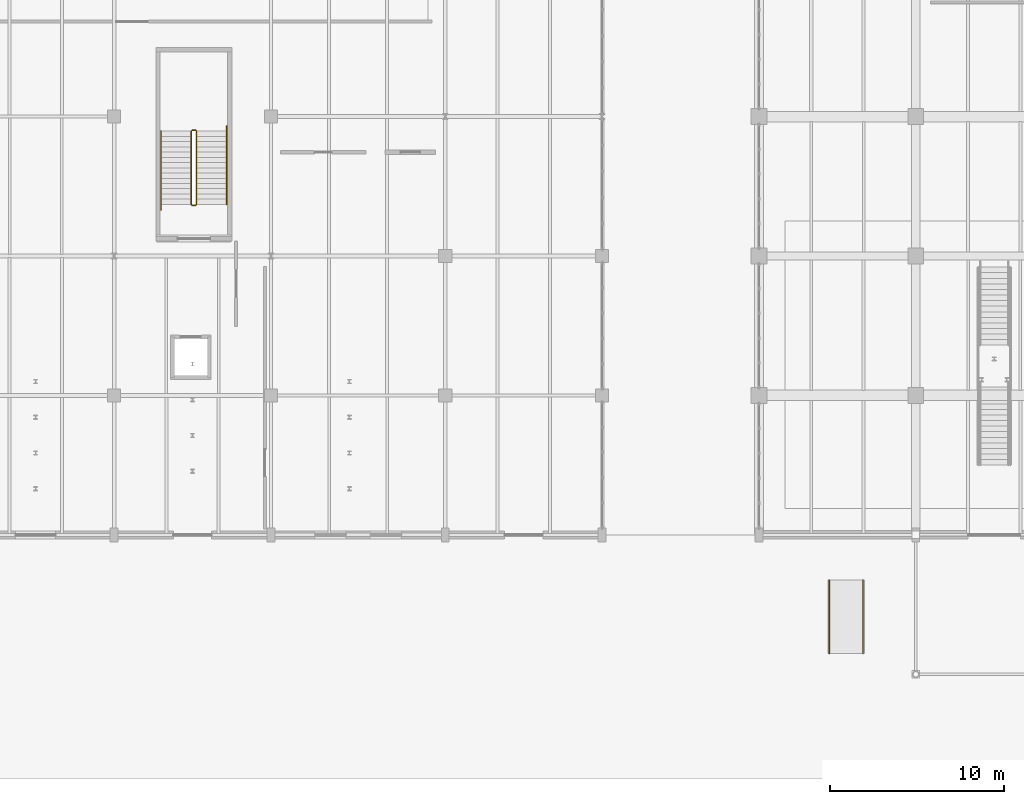
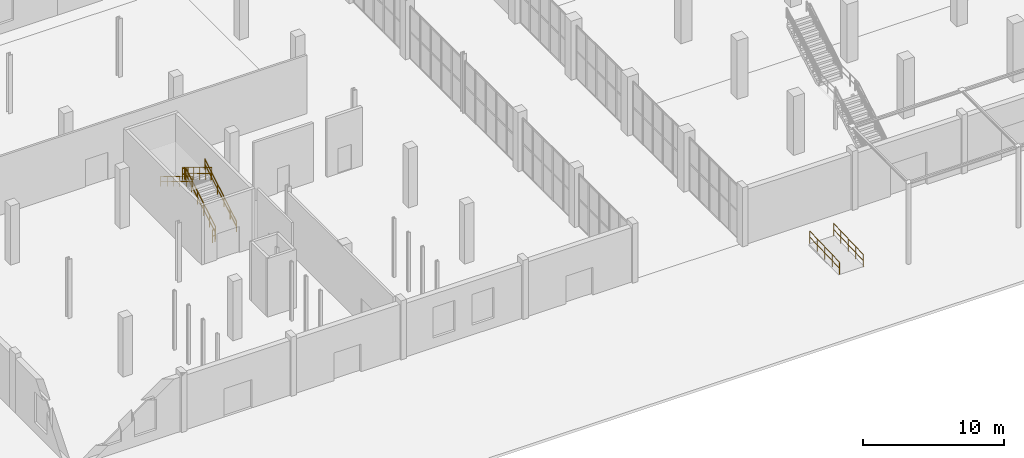
# One storey, part 93 of 103: 8 railings.
"""IFC4 building model written with IfcOpenShell, lengths in metres."""

from ifc_helpers import new_model, si_unit, direction, frame, origin, origin_2d, place, context, subcontext, project, spatial, circle, extrude, material, type_object, element, save


model = new_model("IFC4")

# Units and contexts
model_context = context("Model", 3, precision=1e-05, world=origin(), true_north=direction((0.0, 1.0)))
body_context = subcontext(model_context, "Body", "Model", "MODEL_VIEW")
ifc_project = project(units=[si_unit("LENGTHUNIT", "METRE"), si_unit("AREAUNIT", "SQUARE_METRE"), si_unit("VOLUMEUNIT", "CUBIC_METRE"), si_unit("PLANEANGLEUNIT", "RADIAN"), si_unit("MASSUNIT", "GRAM", prefix="KILO")], contexts=[model_context])

# Site, building, storey
site_placement = place(None, origin())
site = spatial("IfcSite", under=ifc_project, at=site_placement, CompositionType="ELEMENT")
building_placement = place(site_placement, origin())
building = spatial("IfcBuilding", under=site, at=building_placement, Name="Marnock Terrace Opera House", CompositionType="ELEMENT")
storey_placement = place(building_placement, origin())
storey = spatial("IfcBuildingStorey", under=building, at=storey_placement, Name="L00", CompositionType="ELEMENT", Elevation=0.0)

# Railings
ifc_material = material(Name="Architectural bronze balustrade")
railing_type_1 = type_object("IfcRailingType", Name="RL-GUARD-1100", PredefinedType="GUARDRAIL", material=ifc_material)
railing_1_placement = place(storey_placement, frame((22.72998046875, 26.9599609375, 0.179931640625)))
element("IfcRailing", 1, at=railing_1_placement, inside=storey, type_object=railing_type_1, Name="L00 ST-05 stair guard 1", PredefinedType="GUARDRAIL", context=body_context, shape_type="SweptSolid", body=[
    extrude(circle(Radius=0.02392578125, at=origin_2d()), frame((0.0, 0.0, 1.076171875), z_axis=(0.0, 0.857488527567, 0.514503085598), x_axis=(-1.0, 0.0, 0.0)), (0.0, 0.0, 1.0), 4.89794921875),
    extrude(circle(Radius=0.02392578125, at=origin_2d()), frame((0.0, 0.0, 0.550048828125), z_axis=(0.0, 0.857488527567, 0.514503085598), x_axis=(-1.0, 0.0, 0.0)), (0.0, 0.0, 1.0), 4.89794921875),
    extrude(circle(Radius=0.02099609375, at=origin_2d()), origin(), (0.0, 0.0, 1.0), 1.052001953125),
    extrude(circle(Radius=0.02099609375, at=origin_2d()), frame((0.0, 0.840087890625, 0.50390625)), (0.0, 0.0, 1.0), 1.052001953125),
    extrude(circle(Radius=0.02099609375, at=origin_2d()), frame((0.0, 1.679931640625, 1.008056640625)), (0.0, 0.0, 1.0), 1.052001953125),
    extrude(circle(Radius=0.02099609375, at=origin_2d()), frame((0.0, 2.52001953125, 1.511962890625)), (0.0, 0.0, 1.0), 1.052001953125),
    extrude(circle(Radius=0.02099609375, at=origin_2d()), frame((0.0, 3.35986328125, 2.01611328125)), (0.0, 0.0, 1.0), 1.052001953125),
    extrude(circle(Radius=0.02099609375, at=origin_2d()), frame((0.0, 4.199951171875, 2.52001953125)), (0.0, 0.0, 1.0), 1.052001953125),
])
railing_2_placement = place(storey_placement, frame((22.679931640625, 31.2099609375, 2.699951171875)))
element("IfcRailing", 2, at=railing_2_placement, inside=storey, type_object=railing_type_1, Name="L00 ST-05 stair guard 2", PredefinedType="GUARDRAIL", context=body_context, shape_type="SweptSolid", body=[
    extrude(circle(Radius=0.02392578125, at=origin_2d()), frame((0.0, 0.0, 1.076171875), z_axis=(-1.0, 0.0, 0.0), x_axis=(0.0, -1.0, 0.0)), (0.0, 0.0, 1.0), 0.199951171875),
    extrude(circle(Radius=0.02392578125, at=origin_2d()), frame((0.0, 0.0, 0.550048828125), z_axis=(-1.0, 0.0, 0.0), x_axis=(0.0, -1.0, 0.0)), (0.0, 0.0, 1.0), 0.199951171875),
    extrude(circle(Radius=0.02099609375, at=origin_2d()), origin(), (0.0, 0.0, 1.0), 1.052001953125),
    extrude(circle(Radius=0.02099609375, at=origin_2d()), frame((-0.199951171875, 0.0, 0.0)), (0.0, 0.0, 1.0), 1.052001953125),
])
railing_3_placement = place(storey_placement, frame((22.429931640625, 31.159912109375, 2.8798828125)))
element("IfcRailing", 3, at=railing_3_placement, inside=storey, type_object=railing_type_1, Name="L00 ST-05 stair guard 3", PredefinedType="GUARDRAIL", context=body_context, shape_type="SweptSolid", body=[
    extrude(circle(Radius=0.02392578125, at=origin_2d()), frame((0.0, 0.0, 1.076171875), z_axis=(0.0, -0.857488527567, 0.514503085598), x_axis=(1.0, 0.0, 0.0)), (0.0, 0.0, 1.0), 4.89794921875),
    extrude(circle(Radius=0.02392578125, at=origin_2d()), frame((0.0, 0.0, 0.550048828125), z_axis=(0.0, -0.857488527567, 0.514503085598), x_axis=(1.0, 0.0, 0.0)), (0.0, 0.0, 1.0), 4.89794921875),
    extrude(circle(Radius=0.02099609375, at=origin_2d()), origin(), (0.0, 0.0, 1.0), 1.052001953125),
    extrude(circle(Radius=0.02099609375, at=origin_2d()), frame((0.0, -0.840087890625, 0.50390625)), (0.0, 0.0, 1.0), 1.052001953125),
    extrude(circle(Radius=0.02099609375, at=origin_2d()), frame((0.0, -1.679931640625, 1.008056640625)), (0.0, 0.0, 1.0), 1.052001953125),
    extrude(circle(Radius=0.02099609375, at=origin_2d()), frame((0.0, -2.52001953125, 1.511962890625)), (0.0, 0.0, 1.0), 1.052001953125),
    extrude(circle(Radius=0.02099609375, at=origin_2d()), frame((0.0, -3.35986328125, 2.01611328125)), (0.0, 0.0, 1.0), 1.052001953125),
    extrude(circle(Radius=0.02099609375, at=origin_2d()), frame((0.0, -4.199951171875, 2.52001953125)), (0.0, 0.0, 1.0), 1.052001953125),
])
railing_4_placement = place(storey_placement, frame((22.679931640625, 26.909912109375, 0.0)))
element("IfcRailing", 4, at=railing_4_placement, inside=storey, type_object=railing_type_1, Name="L00 ST-05 stair guard 4", PredefinedType="GUARDRAIL", context=body_context, shape_type="SweptSolid", body=[
    extrude(circle(Radius=0.02392578125, at=origin_2d()), frame((0.0, 0.0, 1.076171875), z_axis=(-1.0, 0.0, 0.0), x_axis=(0.0, -1.0, 0.0)), (0.0, 0.0, 1.0), 0.199951171875),
    extrude(circle(Radius=0.02392578125, at=origin_2d()), frame((0.0, 0.0, 0.550048828125), z_axis=(-1.0, 0.0, 0.0), x_axis=(0.0, -1.0, 0.0)), (0.0, 0.0, 1.0), 0.199951171875),
    extrude(circle(Radius=0.02099609375, at=origin_2d()), origin(), (0.0, 0.0, 1.0), 1.052001953125),
    extrude(circle(Radius=0.02099609375, at=origin_2d()), frame((-0.199951171875, 0.0, 0.0)), (0.0, 0.0, 1.0), 1.052001953125),
])
for number, where, name in (
    (5, (59.030029296875, 1.199951171875, 0.0), "RMP-FORE-W bilateral accessible handrail L"),
    (6, (60.969970703125, 1.199951171875, 0.0), "RMP-FORE-W bilateral accessible handrail R"),
):
    element("IfcRailing", number, at=place(storey_placement, frame(where)), inside=storey, type_object=railing_type_1, Name=name, PredefinedType="GUARDRAIL", context=body_context, shape_type="SweptSolid", body=[
        extrude(circle(Radius=0.02392578125, at=origin_2d()), frame((0.0, 0.0, 1.076171875), z_axis=(0.0, 0.999445744913, 0.03328968272), x_axis=(-1.0, 0.0, 0.0)), (0.0, 0.0, 1.0), 4.202392578125),
        extrude(circle(Radius=0.02392578125, at=origin_2d()), frame((0.0, 0.0, 0.550048828125), z_axis=(0.0, 0.999445744913, 0.03328968272), x_axis=(-1.0, 0.0, 0.0)), (0.0, 0.0, 1.0), 4.202392578125),
        extrude(circle(Radius=0.02099609375, at=origin_2d()), origin(), (0.0, 0.0, 1.0), 1.052001953125),
        extrude(circle(Radius=0.02099609375, at=origin_2d()), frame((0.0, 1.050048828125, 0.034912109375)), (0.0, 0.0, 1.0), 1.052001953125),
        extrude(circle(Radius=0.02099609375, at=origin_2d()), frame((0.0, 2.10009765625, 0.06982421875)), (0.0, 0.0, 1.0), 1.052001953125),
        extrude(circle(Radius=0.02099609375, at=origin_2d()), frame((0.0, 3.14990234375, 0.10498046875)), (0.0, 0.0, 1.0), 1.052001953125),
        extrude(circle(Radius=0.02099609375, at=origin_2d()), frame((0.0, 4.199951171875, 0.139892578125)), (0.0, 0.0, 1.0), 1.052001953125),
    ])
railing_type_2 = type_object("IfcRailingType", Name="RL-HAND-900", PredefinedType="HANDRAIL", material=ifc_material)
railing_5_placement = place(storey_placement, frame((24.469970703125, 26.9599609375, 0.19189453125)))
element("IfcRailing", 7, at=railing_5_placement, inside=storey, type_object=railing_type_2, Name="L00 ST-05 stair handrail 1", PredefinedType="HANDRAIL", context=body_context, shape_type="SweptSolid", body=[
    extrude(circle(Radius=0.02392578125, at=origin_2d()), frame((0.0, 0.0, 0.8759765625), z_axis=(0.0, 0.857476506072, 0.514523120505), x_axis=(-1.0, 0.0, 0.0)), (0.0, 0.0, 1.0), 5.248046875),
    extrude(circle(Radius=0.02392578125, at=origin_2d()), frame((0.0, 0.0, 0.449951171875), z_axis=(0.0, 0.857476506072, 0.514523120505), x_axis=(-1.0, 0.0, 0.0)), (0.0, 0.0, 1.0), 5.248046875),
    extrude(circle(Radius=0.02099609375, at=origin_2d()), origin(), (0.0, 0.0, 1.0), 0.851806640625),
    extrude(circle(Radius=0.02099609375, at=origin_2d()), frame((0.0, 0.89990234375, 0.5400390625)), (0.0, 0.0, 1.0), 0.851806640625),
    extrude(circle(Radius=0.02099609375, at=origin_2d()), frame((0.0, 1.800048828125, 1.080078125)), (0.0, 0.0, 1.0), 0.851806640625),
    extrude(circle(Radius=0.02099609375, at=origin_2d()), frame((0.0, 2.699951171875, 1.6201171875)), (0.0, 0.0, 1.0), 0.851806640625),
    extrude(circle(Radius=0.02099609375, at=origin_2d()), frame((0.0, 3.60009765625, 2.16015625)), (0.0, 0.0, 1.0), 0.851806640625),
    extrude(circle(Radius=0.02099609375, at=origin_2d()), frame((0.0, 4.5, 2.7001953125)), (0.0, 0.0, 1.0), 0.851806640625),
])
railing_6_placement = place(storey_placement, frame((20.68994140625, 31.159912109375, 2.89208984375)))
element("IfcRailing", 8, at=railing_6_placement, inside=storey, type_object=railing_type_2, Name="L00 ST-05 stair handrail 2", PredefinedType="HANDRAIL", context=body_context, shape_type="SweptSolid", body=[
    extrude(circle(Radius=0.02392578125, at=origin_2d()), frame((0.0, 0.0, 0.8759765625), z_axis=(0.0, -0.857497030584, 0.514488913912), x_axis=(1.0, 0.0, 0.0)), (0.0, 0.0, 1.0), 5.247802734375),
    extrude(circle(Radius=0.02392578125, at=origin_2d()), frame((0.0, 0.0, 0.449951171875), z_axis=(0.0, -0.857497030584, 0.514488913912), x_axis=(1.0, 0.0, 0.0)), (0.0, 0.0, 1.0), 5.247802734375),
    extrude(circle(Radius=0.02099609375, at=origin_2d()), origin(), (0.0, 0.0, 1.0), 0.851806640625),
    extrude(circle(Radius=0.02099609375, at=origin_2d()), frame((0.0, -0.89990234375, 0.5400390625)), (0.0, 0.0, 1.0), 0.851806640625),
    extrude(circle(Radius=0.02099609375, at=origin_2d()), frame((0.0, -1.800048828125, 1.080078125)), (0.0, 0.0, 1.0), 0.851806640625),
    extrude(circle(Radius=0.02099609375, at=origin_2d()), frame((0.0, -2.699951171875, 1.619873046875)), (0.0, 0.0, 1.0), 0.851806640625),
    extrude(circle(Radius=0.02099609375, at=origin_2d()), frame((0.0, -3.60009765625, 2.159912109375)), (0.0, 0.0, 1.0), 0.851806640625),
    extrude(circle(Radius=0.02099609375, at=origin_2d()), frame((0.0, -4.5, 2.699951171875)), (0.0, 0.0, 1.0), 0.851806640625),
])

save(model, "model.ifc")
